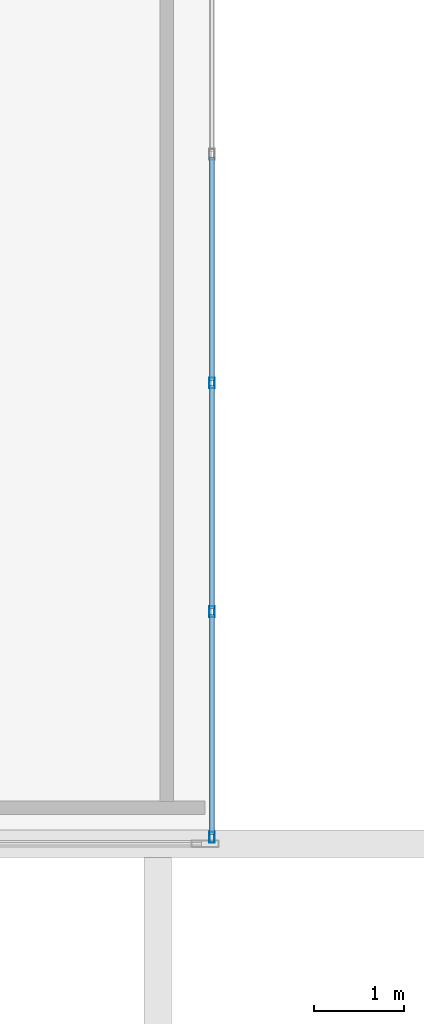
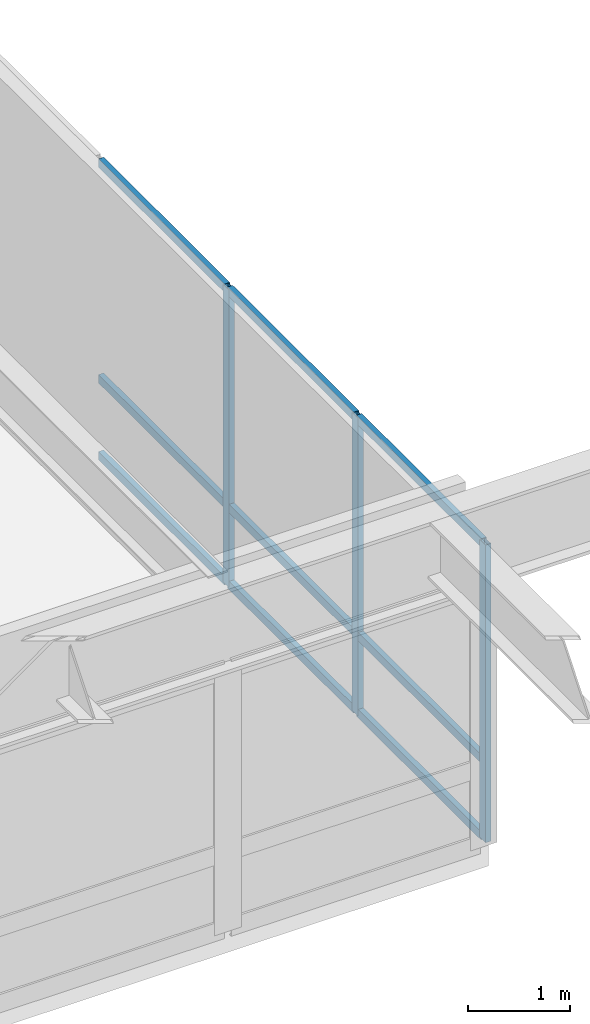
# One storey, part 37 of 115: 12 members, 1 element without a shape of its own.
"""IFC4 building model written with IfcOpenShell, lengths in metres."""

from ifc_helpers import new_model, si_unit, direction, frame, origin, origin_2d, place, context, subcontext, project, spatial, hollow_rectangle, extrude, material, layer, layer_set, material_profile, profile_set, type_object, element, aggregate, save


model = new_model("IFC4")

# Units and contexts
model_context = context("Model", 3, precision=1e-05, world=origin(), true_north=direction((0.0, 1.0)))
body_context = subcontext(model_context, "Body", "Model", "MODEL_VIEW")
ifc_project = project(units=[si_unit("LENGTHUNIT", "METRE"), si_unit("AREAUNIT", "SQUARE_METRE"), si_unit("VOLUMEUNIT", "CUBIC_METRE"), si_unit("PLANEANGLEUNIT", "RADIAN"), si_unit("MASSUNIT", "GRAM", prefix="KILO")], contexts=[model_context])

# Site, building, storey
site_placement = place(None, origin())
site = spatial("IfcSite", under=ifc_project, at=site_placement, CompositionType="ELEMENT")
building_placement = place(site_placement, origin())
building = spatial("IfcBuilding", under=site, at=building_placement, Name="Montelvaro Courts of Justice", CompositionType="ELEMENT")
storey_placement = place(building_placement, frame((0.0, 0.0, 9.89990234375)))
storey = spatial("IfcBuildingStorey", under=building, at=storey_placement, Name="L02", CompositionType="ELEMENT", Elevation=9.89990234375)

# Curtain wall, members
ifc_material = material(Name="Anodised aluminium EN AW-6063", Category="aluminium")
ifc_layer = layer(ifc_material, 0.159912109375)
ifc_layer_set = layer_set([ifc_layer], Name="Anodised aluminium EN AW-6063")
curtain_wall_type = type_object("IfcCurtainWallType", Name="CurtainWall_29_1770x418", PredefinedType="USERDEFINED", material=ifc_layer_set)
curtain_wall_placement = place(storey_placement, origin())
curtain_wall = element("IfcCurtainWall", 1, at=curtain_wall_placement, inside=storey, type_object=curtain_wall_type, Name="Curtain Wall CW-29 (L02)", ObjectType="CURTAIN WALL", PredefinedType="USERDEFINED")
ifc_material_profile_1 = material_profile(ifc_material, hollow_rectangle(XDim=0.06005859375, YDim=0.1201171875, WallThickness=0.00341796875, at=origin_2d()), Name="ALU-M 60x120")
ifc_profile_set_1 = profile_set([ifc_material_profile_1], Name="Anodised aluminium EN AW-6063")
member_type_1 = type_object("IfcMemberType", Name="CurtainWall_Mullion_60x120", PredefinedType="MULLION", material=ifc_profile_set_1)
member_1_placement = place(storey_placement, frame((144.0, 24.070068359375, 0.0), z_axis=(0.0, 0.0, 1.0), x_axis=(-1.0, 0.0, 0.0)))
member_1 = element("IfcMember", 2, at=member_1_placement, type_object=member_type_1, Name="CW-29 mullion 1", PredefinedType="MULLION", context=body_context, shape_type="SweptSolid", body=[
    extrude(hollow_rectangle(XDim=0.06005859375, YDim=0.1201171875, WallThickness=0.00341796875, at=origin_2d()), origin(), (0.0, 0.0, 1.0), 3.56005859375),
])
member_2_placement = place(storey_placement, frame((144.0, 26.56787109375, 0.0), z_axis=(0.0, 0.0, 1.0), x_axis=(-1.0, 0.0, 0.0)))
member_2 = element("IfcMember", 3, at=member_2_placement, type_object=member_type_1, Name="CW-29 mullion 2", PredefinedType="MULLION", context=body_context, shape_type="SweptSolid", body=[
    extrude(hollow_rectangle(XDim=0.06005859375, YDim=0.1201171875, WallThickness=0.00341796875, at=origin_2d()), origin(), (0.0, 0.0, 1.0), 3.56005859375),
])
member_3_placement = place(storey_placement, frame((144.0, 29.095703125, 0.0), z_axis=(0.0, 0.0, 1.0), x_axis=(-1.0, 0.0, 0.0)))
member_3 = element("IfcMember", 4, at=member_3_placement, type_object=member_type_1, Name="CW-29 mullion 3", PredefinedType="MULLION", context=body_context, shape_type="SweptSolid", body=[
    extrude(hollow_rectangle(XDim=0.06005859375, YDim=0.1201171875, WallThickness=0.00341796875, at=origin_2d()), origin(), (0.0, 0.0, 1.0), 3.56005859375),
])
ifc_material_profile_2 = material_profile(ifc_material, hollow_rectangle(XDim=0.06005859375, YDim=0.10009765625, WallThickness=0.00341796875, at=origin_2d()), Name="ALU-T 60x100")
ifc_profile_set_2 = profile_set([ifc_material_profile_2], Name="Anodised aluminium EN AW-6063")
member_type_2 = type_object("IfcMemberType", Name="CurtainWall_Transom_60x100", PredefinedType="USERDEFINED", material=ifc_profile_set_2)
member_4_placement = place(storey_placement, frame((144.0, 24.10009765625, 0.030029296875), z_axis=(0.0, 1.0, 0.0), x_axis=(-1.0, 0.0, 0.0)))
member_4 = element("IfcMember", 5, at=member_4_placement, type_object=member_type_2, Name="CW-29 transom 1.1", ObjectType="TRANSOM", PredefinedType="USERDEFINED", context=body_context, shape_type="SweptSolid", body=[
    extrude(hollow_rectangle(XDim=0.06005859375, YDim=0.10009765625, WallThickness=0.00341796875, at=origin_2d()), origin(), (0.0, 0.0, 1.0), 2.437744140625),
])
member_5_placement = place(storey_placement, frame((144.0, 24.10009765625, 0.9501953125), z_axis=(0.0, 1.0, 0.0), x_axis=(-1.0, 0.0, 0.0)))
member_5 = element("IfcMember", 6, at=member_5_placement, type_object=member_type_2, Name="CW-29 transom 1.2", ObjectType="TRANSOM", PredefinedType="USERDEFINED", context=body_context, shape_type="SweptSolid", body=[
    extrude(hollow_rectangle(XDim=0.06005859375, YDim=0.10009765625, WallThickness=0.00341796875, at=origin_2d()), origin(), (0.0, 0.0, 1.0), 2.437744140625),
])
member_6_placement = place(storey_placement, frame((144.0, 24.10009765625, 3.530029296875), z_axis=(0.0, 1.0, 0.0), x_axis=(-1.0, 0.0, 0.0)))
member_6 = element("IfcMember", 7, at=member_6_placement, type_object=member_type_2, Name="CW-29 transom 1.3", ObjectType="TRANSOM", PredefinedType="USERDEFINED", context=body_context, shape_type="SweptSolid", body=[
    extrude(hollow_rectangle(XDim=0.06005859375, YDim=0.10009765625, WallThickness=0.00341796875, at=origin_2d()), origin(), (0.0, 0.0, 1.0), 2.437744140625),
])
member_7_placement = place(storey_placement, frame((144.0, 26.597900390625, 0.030029296875), z_axis=(0.0, 1.0, 0.0), x_axis=(-1.0, 0.0, 0.0)))
member_7 = element("IfcMember", 8, at=member_7_placement, type_object=member_type_2, Name="CW-29 transom 2.1", ObjectType="TRANSOM", PredefinedType="USERDEFINED", context=body_context, shape_type="SweptSolid", body=[
    extrude(hollow_rectangle(XDim=0.06005859375, YDim=0.10009765625, WallThickness=0.00341796875, at=origin_2d()), origin(), (0.0, 0.0, 1.0), 2.4677734375),
])
member_8_placement = place(storey_placement, frame((144.0, 26.597900390625, 0.9501953125), z_axis=(0.0, 1.0, 0.0), x_axis=(-1.0, 0.0, 0.0)))
member_8 = element("IfcMember", 9, at=member_8_placement, type_object=member_type_2, Name="CW-29 transom 2.2", ObjectType="TRANSOM", PredefinedType="USERDEFINED", context=body_context, shape_type="SweptSolid", body=[
    extrude(hollow_rectangle(XDim=0.06005859375, YDim=0.10009765625, WallThickness=0.00341796875, at=origin_2d()), origin(), (0.0, 0.0, 1.0), 2.4677734375),
])
member_9_placement = place(storey_placement, frame((144.0, 26.597900390625, 3.530029296875), z_axis=(0.0, 1.0, 0.0), x_axis=(-1.0, 0.0, 0.0)))
member_9 = element("IfcMember", 10, at=member_9_placement, type_object=member_type_2, Name="CW-29 transom 2.3", ObjectType="TRANSOM", PredefinedType="USERDEFINED", context=body_context, shape_type="SweptSolid", body=[
    extrude(hollow_rectangle(XDim=0.06005859375, YDim=0.10009765625, WallThickness=0.00341796875, at=origin_2d()), origin(), (0.0, 0.0, 1.0), 2.4677734375),
])
member_10_placement = place(storey_placement, frame((144.0, 29.125732421875, 0.030029296875), z_axis=(0.0, 1.0, 0.0), x_axis=(-1.0, 0.0, 0.0)))
member_10 = element("IfcMember", 11, at=member_10_placement, type_object=member_type_2, Name="CW-29 transom 3.1", ObjectType="TRANSOM", PredefinedType="USERDEFINED", context=body_context, shape_type="SweptSolid", body=[
    extrude(hollow_rectangle(XDim=0.06005859375, YDim=0.10009765625, WallThickness=0.00341796875, at=origin_2d()), origin(), (0.0, 0.0, 1.0), 2.4677734375),
])
member_11_placement = place(storey_placement, frame((144.0, 29.125732421875, 0.9501953125), z_axis=(0.0, 1.0, 0.0), x_axis=(-1.0, 0.0, 0.0)))
member_11 = element("IfcMember", 12, at=member_11_placement, type_object=member_type_2, Name="CW-29 transom 3.2", ObjectType="TRANSOM", PredefinedType="USERDEFINED", context=body_context, shape_type="SweptSolid", body=[
    extrude(hollow_rectangle(XDim=0.06005859375, YDim=0.10009765625, WallThickness=0.00341796875, at=origin_2d()), origin(), (0.0, 0.0, 1.0), 2.4677734375),
])
member_12_placement = place(storey_placement, frame((144.0, 29.125732421875, 3.530029296875), z_axis=(0.0, 1.0, 0.0), x_axis=(-1.0, 0.0, 0.0)))
member_12 = element("IfcMember", 13, at=member_12_placement, type_object=member_type_2, Name="CW-29 transom 3.3", ObjectType="TRANSOM", PredefinedType="USERDEFINED", context=body_context, shape_type="SweptSolid", body=[
    extrude(hollow_rectangle(XDim=0.06005859375, YDim=0.10009765625, WallThickness=0.00341796875, at=origin_2d()), origin(), (0.0, 0.0, 1.0), 2.4677734375),
])
aggregate(curtain_wall, [member_1, member_2, member_3, member_4, member_5, member_6, member_7, member_8, member_9, member_10, member_11, member_12])

save(model, "model.ifc")
